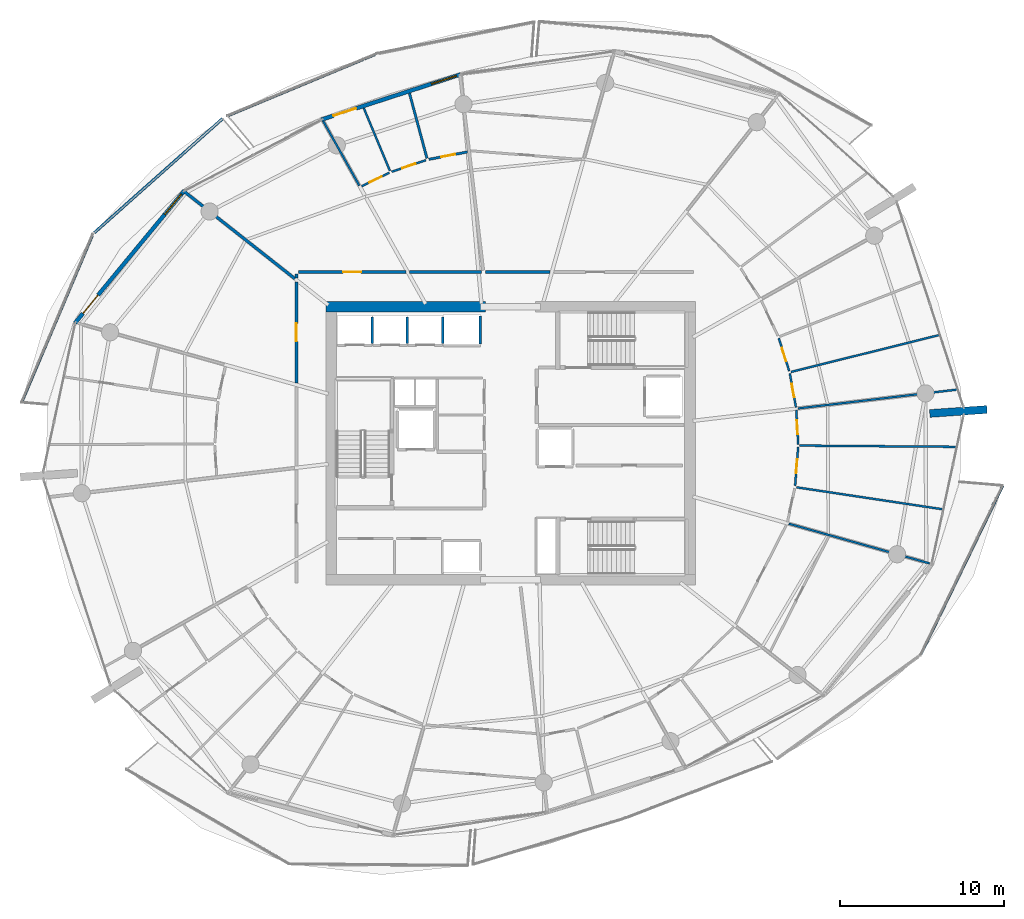
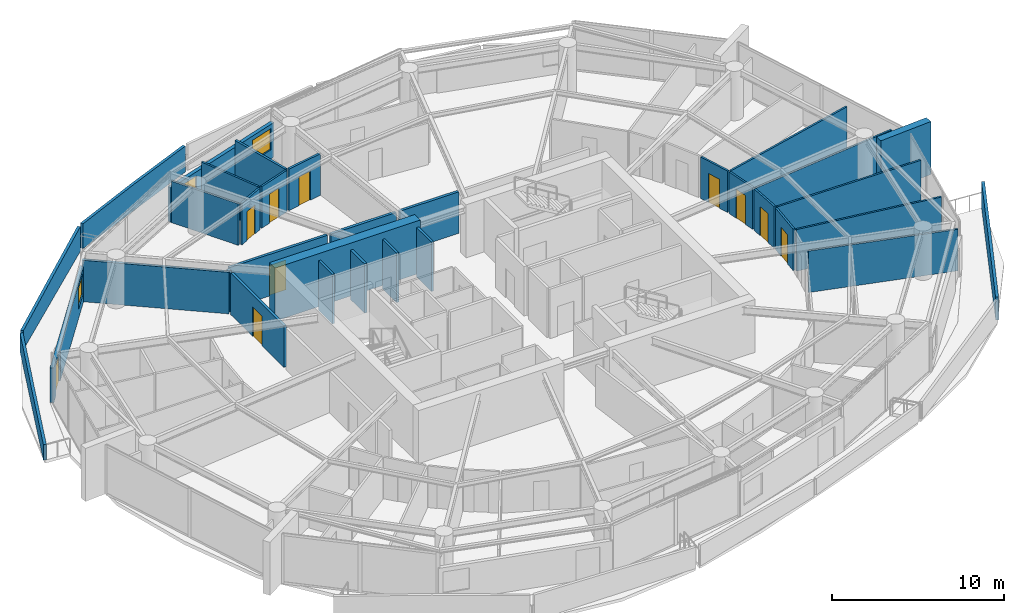
# One storey, part 14 of 20: 33 walls, 11 doors, 2 windows, 13 openings.
"""IFC4 building model written with IfcOpenShell, lengths in metres."""

import ifcopenshell
import ifcopenshell.guid

model = None  # the IFC model being written
_history = None  # IfcOwnerHistory: only IFC2X3 demands one
_inside = {}  # id of a spatial element -> (the spatial element, [elements in it])
_under = {}  # id of a project, library or spatial element -> (it, [spatial elements below it])
_declared = {}  # id of a project -> (the project, [libraries it declares])
_typed = {}  # id of a type object -> (the type object, [elements of that type])
_made_of = {}  # id of a material, layer set ... -> (it, [elements and type objects made of it])


def new_model(schema):
    """Start an empty IFC model of exactly this schema.

    Asked for "IFC4X3", IfcOpenShell would pick the latest addendum, in which some entities
    have other attributes; the version numbers below select the first issue.
    IFC2X3 requires an IfcOwnerHistory on every rooted entity: one is made here for all.
    """
    global model, _history
    if schema == "IFC4X3":
        model = ifcopenshell.file(schema_version=(4, 3, 0, 0))
    else:
        model = ifcopenshell.file(schema=schema)
    _inside.clear()
    _under.clear()
    _declared.clear()
    _typed.clear()
    _made_of.clear()
    _history = None
    if model.schema == "IFC2X3":
        org = make("IfcOrganization", Name="unknown")
        user = make(
            "IfcPersonAndOrganization",
            ThePerson=make("IfcPerson", FamilyName="unknown"),
            TheOrganization=org,
        )
        app = make(
            "IfcApplication",
            ApplicationDeveloper=org,
            Version="unknown",
            ApplicationFullName="unknown",
            ApplicationIdentifier="unknown",
        )
        _history = make(
            "IfcOwnerHistory",
            OwningUser=user,
            OwningApplication=app,
            ChangeAction="ADDED",
            CreationDate=0,
        )
    return model


def make(cls, **values):
    """One entity of the class cls with the attributes given. An attribute that is None is left unset."""
    return model.create_entity(
        cls, **{name: value for name, value in values.items() if value is not None}
    )


def rooted(cls, **values):
    """An entity with a GlobalId (a new one), such as an element, a storey or a relation."""
    return make(cls, GlobalId=ifcopenshell.guid.new(), OwnerHistory=_history, **values)


def si_unit(unit_type, name, prefix=None):
    """IfcSIUnit, for example si_unit("LENGTHUNIT", "METRE", prefix="MILLI")."""
    return make("IfcSIUnit", UnitType=unit_type, Prefix=prefix, Name=name)


def assignment(units):
    """IfcUnitAssignment: the units of a project."""
    return None if units is None else make("IfcUnitAssignment", Units=units)


def point(xyz):
    """IfcCartesianPoint."""
    return None if xyz is None else make("IfcCartesianPoint", Coordinates=xyz)


def direction(xyz):
    """IfcDirection."""
    return None if xyz is None else make("IfcDirection", DirectionRatios=xyz)


def frame(location, z_axis=None, x_axis=None):
    """IfcAxis2Placement3D, a coordinate frame: its origin and axes. An axis left out is left unset."""
    return make(
        "IfcAxis2Placement3D",
        Location=point(location),
        Axis=direction(z_axis),
        RefDirection=direction(x_axis),
    )


def frame_2d(location, x_axis=None):
    """IfcAxis2Placement2D, a coordinate frame in the plane: its origin and x axis."""
    return make(
        "IfcAxis2Placement2D", Location=point(location), RefDirection=direction(x_axis)
    )


def origin():
    """The frame at (0, 0, 0) with its axes left unset."""
    return frame((0.0, 0.0, 0.0))


def place(relative_to, where):
    """IfcLocalPlacement: puts the frame where relative to a parent placement (None: the world)."""
    return make(
        "IfcLocalPlacement", PlacementRelTo=relative_to, RelativePlacement=where
    )


def context(
    kind, dimensions, precision=None, world=None, true_north=None, identifier=None
):
    """IfcGeometricRepresentationContext, for example the 3D "Model" context."""
    return make(
        "IfcGeometricRepresentationContext",
        ContextIdentifier=identifier,
        ContextType=kind,
        CoordinateSpaceDimension=dimensions,
        Precision=precision,
        WorldCoordinateSystem=world,
        TrueNorth=true_north,
    )


def subcontext(parent, identifier, kind, view, scale=None):
    """IfcGeometricRepresentationSubContext, for example "Body" below "Model"."""
    return make(
        "IfcGeometricRepresentationSubContext",
        ContextIdentifier=identifier,
        ContextType=kind,
        ParentContext=parent,
        TargetScale=scale,
        TargetView=view,
    )


def project(units=None, contexts=None):
    """IfcProject with its units and contexts."""
    return rooted(
        "IfcProject",
        Name="project",
        RepresentationContexts=contexts,
        UnitsInContext=assignment(units),
    )


def spatial(cls, under=None, at=None, **own):
    """A site, building, storey or space (cls), placed at a placement, below another one or the project."""
    s = rooted(cls, ObjectPlacement=at, **own)
    if under is not None:
        _under.setdefault(under.id(), (under, []))[1].append(s)
    return s


def polyline(points):
    """IfcPolyline through the points."""
    return make("IfcPolyline", Points=[point(p) for p in points])


def profile(cls, at=None, kind="AREA", **sizes):
    """A parametric profile (cls). Its sizes go by their IFC names, for example OverallWidth=200.0."""
    return make(cls, ProfileType=kind, Position=at, **sizes)


def rectangle(**sizes):
    """IfcRectangleProfileDef."""
    return profile("IfcRectangleProfileDef", **sizes)


def outline(outer, holes=None, kind="AREA"):
    """IfcArbitraryClosedProfileDef: a profile drawn as a closed curve; with holes, ...WithVoids."""
    if holes is None:
        return make("IfcArbitraryClosedProfileDef", ProfileType=kind, OuterCurve=outer)
    return make(
        "IfcArbitraryProfileDefWithVoids",
        ProfileType=kind,
        OuterCurve=outer,
        InnerCurves=holes,
    )


def extrude(swept, where, along, depth):
    """IfcExtrudedAreaSolid: the profile swept, set in the frame where, extruded along a direction by depth."""
    return make(
        "IfcExtrudedAreaSolid",
        SweptArea=swept,
        Position=where,
        ExtrudedDirection=direction(along),
        Depth=depth,
    )


def shape(context_of_items, identifier, shape_type, items):
    """IfcShapeRepresentation: the items that make up one representation, for example the "Body"."""
    return make(
        "IfcShapeRepresentation",
        ContextOfItems=context_of_items,
        RepresentationIdentifier=identifier,
        RepresentationType=shape_type,
        Items=items,
    )


def material(Name=None, Category=None):
    """IfcMaterial."""
    return make("IfcMaterial", Name=Name, Category=Category)


def layer(
    of_material, thickness, ventilated=None, Name=None, Category=None, Priority=None
):
    """IfcMaterialLayer: one layer of a wall or slab, of a material (None: an air gap)."""
    return make(
        "IfcMaterialLayer",
        Material=of_material,
        LayerThickness=thickness,
        IsVentilated=ventilated,
        Name=Name,
        Category=Category,
        Priority=Priority,
    )


def layer_set(layers, Name=None):
    """IfcMaterialLayerSet."""
    return make("IfcMaterialLayerSet", MaterialLayers=layers, LayerSetName=Name)


def made_of(thing, what):
    """Note that an element or type object is made of a material, layer set ...; save() writes the relation."""
    if what is not None:
        _made_of.setdefault(what.id(), (what, []))[1].append(thing)
    return thing


def type_object(cls, material=None, **own):
    """A type object (cls), such as IfcWallType, which elements share."""
    return made_of(rooted(cls, **own), material)


def element(
    cls,
    number,
    at=None,
    inside=None,
    cuts=None,
    type_object=None,
    material=None,
    context=None,
    identifier="Body",
    shape_type=None,
    held_by="IfcProductDefinitionShape",
    body=None,
    shapes=None,
    **own,
):
    """One element of the class cls, such as IfcWall. Its Tag is "e" and its number.

    at: its placement. inside: the storey or other place that contains it. cuts: it is an
    opening in that element (IfcRelVoidsElement). A single representation is given by context,
    identifier, shape_type and body (its items); several are given by shapes. held_by: the class
    of the entity that holds the representations. save() writes the other relations.
    """
    e = rooted(cls, Tag="e%d" % number, ObjectPlacement=at, **own)
    if body is not None:
        shapes = [shape(context, identifier, shape_type, body)]
    if shapes is not None:
        e.Representation = make(held_by, Representations=shapes)
    if inside is not None:
        _inside.setdefault(inside.id(), (inside, []))[1].append(e)
    if cuts is not None:
        rooted(
            "IfcRelVoidsElement", RelatingBuildingElement=cuts, RelatedOpeningElement=e
        )
    if type_object is not None:
        _typed.setdefault(type_object.id(), (type_object, []))[1].append(e)
    return made_of(e, material)


def fill(opening, filler):
    """IfcRelFillsElement: the door or window that sits in an opening."""
    return rooted(
        "IfcRelFillsElement",
        RelatingOpeningElement=opening,
        RelatedBuildingElement=filler,
    )


def aggregate(whole, parts):
    """IfcRelAggregates: a whole, such as a stair, and the parts it consists of."""
    return rooted("IfcRelAggregates", RelatingObject=whole, RelatedObjects=parts)


def save(model, path):
    """Write the relations noted so far, then the file.

    IfcRelAggregates (storeys below a building ...), IfcRelContainedInSpatialStructure (elements
    in a storey), IfcRelDefinesByType, IfcRelAssociatesMaterial and IfcRelDeclares: one each for
    every whole, place, type object, material and project.
    """
    for whole, parts in _under.values():
        aggregate(whole, parts)
    for where, things in _inside.values():
        rooted(
            "IfcRelContainedInSpatialStructure",
            RelatedElements=things,
            RelatingStructure=where,
        )
    for kind, things in _typed.values():
        rooted("IfcRelDefinesByType", RelatedObjects=things, RelatingType=kind)
    for what, things in _made_of.values():
        rooted("IfcRelAssociatesMaterial", RelatedObjects=things, RelatingMaterial=what)
    for by, libraries in _declared.values():
        rooted("IfcRelDeclares", RelatingContext=by, RelatedDefinitions=libraries)
    model.write(path)


model = new_model("IFC4")

# Units and contexts
model_context = context("Model", 3, precision=1e-05, world=origin(), true_north=direction((0.0, 1.0)))
body_context = subcontext(model_context, "Body", "Model", "MODEL_VIEW")
ifc_project = project(units=[si_unit("LENGTHUNIT", "METRE"), si_unit("AREAUNIT", "SQUARE_METRE"), si_unit("VOLUMEUNIT", "CUBIC_METRE"), si_unit("PLANEANGLEUNIT", "RADIAN"), si_unit("MASSUNIT", "GRAM", prefix="KILO")], contexts=[model_context])

# Site, building, storey
site_placement = place(None, origin())
site = spatial("IfcSite", under=ifc_project, at=site_placement, CompositionType="ELEMENT")
building_placement = place(site_placement, origin())
building = spatial("IfcBuilding", under=site, at=building_placement, Name="Kazma Halo Residences", CompositionType="ELEMENT")
storey_placement = place(building_placement, frame((0.0, 0.0, 210.300048828125)))
storey = spatial("IfcBuildingStorey", under=building, at=storey_placement, Name="L53", CompositionType="ELEMENT", Elevation=210.300048828125)

# Walls
ifc_material_1 = material(Name="White Concrete C50/60 Balustrade", Category="concrete")
ifc_layer_1 = layer(ifc_material_1, 0.179931640625)
ifc_layer_set_1 = layer_set([ifc_layer_1], Name="White Concrete C50/60 Balustrade")
wall_type_1 = type_object("IfcWallType", Name="WL-BAL-WAVE-180", PredefinedType="PARAPET", material=ifc_layer_set_1)
wall_1_placement = place(storey_placement, frame((40.1591796875, 65.74462890625, 0.0), z_axis=(0.0, 0.0, 1.0), x_axis=(-0.923266030552, -0.38416121203, 0.0)))
element("IfcWall", 1, at=wall_1_placement, inside=storey, type_object=wall_type_1, Name="L53 white wave balustrade wall NNW.2", PredefinedType="PARAPET", context=body_context, shape_type="SweptSolid", body=[
    extrude(outline(polyline([(0.0, 0.0), (9.772216796875, 0.0), (9.772216796875, 1.755859375), (4.885986328125, 1.85302734375), (0.0, 1.83203125), (0.0, 0.0)])), frame((0.0, 0.08984375, 0.0), z_axis=(0.0, -1.0, 0.0), x_axis=(1.0, 0.0, 0.0)), (0.0, 0.0, 1.0), 0.179931640625),
])
wall_2_placement = place(storey_placement, frame((30.855712890625, 61.82666015625, 0.0), z_axis=(0.0, 0.0, 1.0), x_axis=(-0.747315583536, -0.664469275892, 0.0)))
element("IfcWall", 2, at=wall_2_placement, inside=storey, type_object=wall_type_1, Name="L53 white wave balustrade wall NW.1", PredefinedType="PARAPET", context=body_context, shape_type="SweptSolid", body=[
    extrude(outline(polyline([(0.0, 0.0), (10.490966796875, 0.0), (10.4912109375, 1.347900390625), (5.24560546875, 1.56201171875), (0.0, 1.7470703125), (0.0, 0.0)])), frame((0.0, 0.08984375, 0.0), z_axis=(0.0, -1.0, 0.0), x_axis=(1.0, 0.0, 0.0)), (0.0, 0.0, 1.0), 0.179931640625),
])
wall_3_placement = place(storey_placement, frame((22.879150390625, 54.665283203125, 0.0), z_axis=(0.0, 0.0, 1.0), x_axis=(-0.390001304333, -0.920814304091, 0.0)))
element("IfcWall", 3, at=wall_3_placement, inside=storey, type_object=wall_type_1, Name="L53 white wave balustrade wall NW.2", PredefinedType="PARAPET", context=body_context, shape_type="SweptSolid", body=[
    extrude(outline(polyline([(0.0, 0.0), (11.042724609375, 0.0), (11.04296875, 1.119873046875), (5.521484375, 1.181884765625), (0.0, 1.347900390625), (0.0, 0.0)])), frame((0.0, 0.08984375, 0.0), z_axis=(0.0, -1.0, 0.0), x_axis=(1.0, 0.0, 0.0)), (0.0, 0.0, 1.0), 0.179931640625),
])
wall_4_placement = place(storey_placement, frame((73.481201171875, 29.151611328125, 0.0), z_axis=(0.0, 0.0, 1.0), x_axis=(0.436714484075, 0.899600166407, 0.0)))
element("IfcWall", 4, at=wall_4_placement, inside=storey, type_object=wall_type_1, Name="L53 white wave balustrade wall SE.2", PredefinedType="PARAPET", context=body_context, shape_type="SweptSolid", body=[
    extrude(outline(polyline([(0.0, 0.0), (11.408935546875, 0.0), (11.4091796875, 1.85986328125), (5.70458984375, 1.7978515625), (0.0, 1.6318359375), (0.0, 0.0)])), frame((0.0, 0.08984375, 0.0), z_axis=(0.0, -1.0, 0.0), x_axis=(1.0, 0.0, 0.0)), (0.0, 0.0, 1.0), 0.179931640625),
])
ifc_material_2 = material(Name="Pale Concrete C60/75", Category="concrete")
ifc_layer_2 = layer(ifc_material_2, 0.47998046875)
ifc_layer_set_2 = layer_set([ifc_layer_2], Name="Pale Concrete C60/75")
wall_type_2 = type_object("IfcWallType", Name="WL-BLADE-480", PredefinedType="SOLIDWALL", material=ifc_layer_set_2)
wall_5_placement = place(storey_placement, frame((74.0126953125, 43.819091796875, 0.0), z_axis=(0.0, 0.0, 1.0), x_axis=(0.997568676264, 0.069690287244, 0.0)))
element("IfcWall", 5, at=wall_5_placement, inside=storey, type_object=wall_type_2, Name="L53 pale concrete structural blade fin wall BW-04", PredefinedType="SOLIDWALL", context=body_context, shape_type="SweptSolid", body=[
    extrude(rectangle(XDim=3.499755859375, YDim=0.47998046875, at=frame_2d((1.75, 0.0))), origin(), (0.0, 0.0, 1.0), 3.75),
])
ifc_material_3 = material(Name="Concrete C60/75", Category="concrete")
ifc_layer_3 = layer(ifc_material_3, 0.64990234375)
ifc_layer_set_3 = layer_set([ifc_layer_3], Name="Concrete C60/75")
wall_type_3 = type_object("IfcWallType", Name="WL-CORE-650", PredefinedType="SHEAR", material=ifc_layer_set_3)
wall_6_placement = place(storey_placement, frame((37.14990234375, 50.324951171875, 0.0), z_axis=(0.0, 0.0, 1.0), x_axis=(1.0, 0.0, 0.0)))
element("IfcWall", 6, at=wall_6_placement, inside=storey, type_object=wall_type_3, Name="L53 central core shear wall NW", PredefinedType="SHEAR", context=body_context, shape_type="SweptSolid", body=[
    extrude(rectangle(XDim=9.75, YDim=0.64990234375, at=frame_2d((4.875, 0.0))), origin(), (0.0, 0.0, 1.0), 3.75),
])
ifc_material_4 = material(Name="Acoustic Twin-Stud Gypsum")
ifc_layer_4 = layer(ifc_material_4, 0.179931640625)
ifc_layer_set_4 = layer_set([ifc_layer_4], Name="Acoustic Twin-Stud Gypsum")
wall_type_4 = type_object("IfcWallType", Name="WL-DEM-180", PredefinedType="PARTITIONING", material=ifc_layer_set_4)
wall_7_placement = place(storey_placement, frame((35.263671875, 52.04052734375, 0.0), z_axis=(0.0, 0.0, 1.0), x_axis=(-0.785322457947, 0.619086938195, 0.0)))
element("IfcWall", 7, at=wall_7_placement, inside=storey, type_object=wall_type_4, Name="L53 apartment demising radial wall 05", PredefinedType="PARTITIONING", context=body_context, shape_type="SweptSolid", body=[
    extrude(rectangle(XDim=8.609130859375, YDim=0.179931640625, at=frame_2d((4.3046875, 0.0))), origin(), (0.0, 0.0, 1.0), 2.93994140625),
])

# Wall, opening, door
wall_8_placement = place(storey_placement, frame((42.027587890625, 52.449951171875, 0.0), z_axis=(0.0, 0.0, 1.0), x_axis=(-1.0, 0.0, 0.0)))
wall_8 = element("IfcWall", 8, at=wall_8_placement, inside=storey, type_object=wall_type_4, Name="L53 Apartment 1 entrance corridor wall", PredefinedType="PARTITIONING", context=body_context, shape_type="SweptSolid", body=[
    extrude(rectangle(XDim=6.5576171875, YDim=0.179931640625, at=frame_2d((3.27880859375, 0.0))), origin(), (0.0, 0.0, 1.0), 2.93994140625),
])
opening_1_placement = place(wall_8_placement, frame((2.72900390625, 0.0, 0.0)))
opening_1 = element("IfcOpeningElement", 9, at=opening_1_placement, cuts=wall_8, Name="Opening DA-1100", PredefinedType="OPENING", context=body_context, shape_type="SweptSolid", body=[
    extrude(rectangle(XDim=1.10009765625, YDim=2.10009765625, at=frame_2d((0.550048828125, 1.050048828125))), frame((0.0, 0.099853515625, 0.0), z_axis=(0.0, -1.0, 0.0), x_axis=(1.0, 0.0, 0.0)), (0.0, 0.0, 1.0), 0.199951171875),
])
ifc_material_5 = material(Name="Acoustic Walnut Fire Leaf")
door_type_1 = type_object("IfcDoorType", Name="DR-FD60-1100", OperationType="NOTDEFINED", PredefinedType="DOOR", material=ifc_material_5)
door_1_placement = place(opening_1_placement, origin())
door_1 = element("IfcDoor", 10, at=door_1_placement, inside=storey, type_object=door_type_1, Name="L53 Apartment 1 entrance fire door", OperationType="SINGLE_SWING_LEFT", OverallHeight=2.10009765625, OverallWidth=1.10009765625, PredefinedType="DOOR", context=body_context, shape_type="SweptSolid", body=[
    extrude(rectangle(XDim=1.10009765625, YDim=2.10009765625, at=frame_2d((0.550048828125, 1.050048828125))), frame((0.0, 0.02490234375, 0.0), z_axis=(0.0, -1.0, 0.0), x_axis=(1.0, 0.0, 0.0)), (0.0, 0.0, 1.0), 0.050048828125),
])
fill(opening_1, door_1)

# Walls
wall_9_placement = place(storey_placement, frame((35.35009765625, 52.330078125, 0.0), z_axis=(0.0, 0.0, 1.0), x_axis=(0.0, -1.0, 0.0)))
element("IfcWall", 11, at=wall_9_placement, inside=storey, type_object=wall_type_4, Name="L53 Apartment 1 entrance corridor wall", PredefinedType="PARTITIONING", context=body_context, shape_type="SweptSolid", body=[
    extrude(rectangle(XDim=0.237548828125, YDim=0.179931640625, at=frame_2d((0.11865234375, 0.0))), origin(), (0.0, 0.0, 1.0), 2.93994140625),
])
wall_10_placement = place(storey_placement, frame((46.643310546875, 52.449951171875, 0.0), z_axis=(0.0, 0.0, 1.0), x_axis=(-1.0, 0.0, 0.0)))
element("IfcWall", 12, at=wall_10_placement, inside=storey, type_object=wall_type_4, Name="L53 Apartment 1 inner wall 3", PredefinedType="PARTITIONING", context=body_context, shape_type="SweptSolid", body=[
    extrude(rectangle(XDim=4.375732421875, YDim=0.179931640625, at=frame_2d((2.18798828125, 0.0))), origin(), (0.0, 0.0, 1.0), 2.93994140625),
])

# Wall, opening, door
wall_11_placement = place(storey_placement, frame((35.35009765625, 51.8525390625, 0.0), z_axis=(0.0, 0.0, 1.0), x_axis=(0.0, -1.0, 0.0)))
wall_11 = element("IfcWall", 13, at=wall_11_placement, inside=storey, type_object=wall_type_4, Name="L53 Apartment 2 entrance corridor wall", PredefinedType="PARTITIONING", context=body_context, shape_type="SweptSolid", body=[
    extrude(rectangle(XDim=6.164794921875, YDim=0.179931640625, at=frame_2d((3.08251953125, 0.0))), origin(), (0.0, 0.0, 1.0), 2.93994140625),
])
opening_2_placement = place(wall_11_placement, frame((2.532470703125, 0.0, 0.0)))
opening_2 = element("IfcOpeningElement", 14, at=opening_2_placement, cuts=wall_11, Name="Opening DA-1100", PredefinedType="OPENING", context=body_context, shape_type="SweptSolid", body=[
    extrude(rectangle(XDim=1.10009765625, YDim=2.10009765625, at=frame_2d((0.550048828125, 1.050048828125))), frame((0.0, 0.099853515625, 0.0), z_axis=(0.0, -1.0, 0.0), x_axis=(1.0, 0.0, 0.0)), (0.0, 0.0, 1.0), 0.199951171875),
])
door_2_placement = place(opening_2_placement, origin())
door_2 = element("IfcDoor", 15, at=door_2_placement, inside=storey, type_object=door_type_1, Name="L53 Apartment 2 entrance fire door", OperationType="SINGLE_SWING_RIGHT", OverallHeight=2.10009765625, OverallWidth=1.10009765625, PredefinedType="DOOR", context=body_context, shape_type="SweptSolid", body=[
    extrude(rectangle(XDim=1.10009765625, YDim=2.10009765625, at=frame_2d((0.550048828125, 1.050048828125))), frame((0.0, 0.02490234375, 0.0), z_axis=(0.0, -1.0, 0.0), x_axis=(1.0, 0.0, 0.0)), (0.0, 0.0, 1.0), 0.050048828125),
])
fill(opening_2, door_2)

# Wall
wall_12_placement = place(storey_placement, frame((50.8271484375, 52.449951171875, 0.0), z_axis=(0.0, 0.0, 1.0), x_axis=(-1.0, 0.0, 0.0)))
element("IfcWall", 16, at=wall_12_placement, inside=storey, type_object=wall_type_4, Name="L53 Apartment 4 inner wall 2", PredefinedType="PARTITIONING", context=body_context, shape_type="SweptSolid", body=[
    extrude(rectangle(XDim=3.94384765625, YDim=0.179931640625, at=frame_2d((1.971923828125, 0.0))), origin(), (0.0, 0.0, 1.0), 2.93994140625),
])

# Wall, openings, door, window
ifc_material_6 = material(Name="Insulated Pale-Metal Composite Wall")
ifc_layer_5 = layer(ifc_material_6, 0.239990234375)
ifc_layer_set_5 = layer_set([ifc_layer_5], Name="Insulated Pale-Metal Composite Wall")
wall_type_5 = type_object("IfcWallType", Name="WL-EXT-HOST-240", PredefinedType="SOLIDWALL", material=ifc_layer_set_5)
wall_13_placement = place(storey_placement, frame((45.38427734375, 64.518798828125, 0.0), z_axis=(0.0, 0.0, 1.0), x_axis=(-0.951058543936, -0.309010753869, 0.0)))
wall_13 = element("IfcWall", 17, at=wall_13_placement, inside=storey, type_object=wall_type_5, Name="L53 exterior terrace-access wall B04", PredefinedType="SOLIDWALL", context=body_context, shape_type="SweptSolid", body=[
    extrude(rectangle(XDim=8.942138671875, YDim=0.239990234375, at=frame_2d((4.47119140625, 0.0))), origin(), (0.0, 0.0, 1.0), 2.449951171875),
])
opening_3_placement = place(wall_13_placement, frame((6.721923828125, 0.0, 0.0)))
opening_3 = element("IfcOpeningElement", 18, at=opening_3_placement, cuts=wall_13, Name="Opening DTR-1600", PredefinedType="OPENING", context=body_context, shape_type="SweptSolid", body=[
    extrude(rectangle(XDim=1.449951171875, YDim=2.14990234375, at=frame_2d((0.72509765625, 1.074951171875))), frame((0.0, 0.1298828125, 0.0), z_axis=(0.0, -1.0, 0.0), x_axis=(1.0, 0.0, 0.0)), (0.0, 0.0, 1.0), 0.260009765625),
])
opening_4_placement = place(wall_13_placement, frame((0.280029296875, 0.0, 0.64990234375)))
opening_4 = element("IfcOpeningElement", 19, at=opening_4_placement, cuts=wall_13, Name="Opening W-1800", PredefinedType="OPENING", context=body_context, shape_type="SweptSolid", body=[
    extrude(rectangle(XDim=1.60009765625, YDim=1.5, at=frame_2d((0.800048828125, 0.75))), frame((0.0, 0.1298828125, 0.0), z_axis=(0.0, -1.0, 0.0), x_axis=(1.0, 0.0, 0.0)), (0.0, 0.0, 1.0), 0.260009765625),
])
ifc_material_7 = material(Name="Aluminium AW-6063 T6 Double-Glazed Terrace Door", Category="aluminium")
door_type_2 = type_object("IfcDoorType", Name="DR-EXT-TERR-1600", OperationType="NOTDEFINED", PredefinedType="DOOR", material=ifc_material_7)
door_3_placement = place(opening_3_placement, origin())
door_3 = element("IfcDoor", 20, at=door_3_placement, inside=storey, type_object=door_type_2, Name="L53 B04 balcony terrace door", OperationType="DOUBLE_DOOR_SLIDING", OverallHeight=2.14990234375, OverallWidth=1.449951171875, PredefinedType="DOOR", context=body_context, shape_type="SweptSolid", body=[
    extrude(rectangle(XDim=1.449951171875, YDim=2.14990234375, at=frame_2d((0.72509765625, 1.074951171875))), frame((0.0, 0.02490234375, 0.0), z_axis=(0.0, -1.0, 0.0), x_axis=(1.0, 0.0, 0.0)), (0.0, 0.0, 1.0), 0.050048828125),
])
fill(opening_3, door_3)
ifc_material_8 = material(Name="Clear Triple-Silver Low-E Glass in Aluminium AW-6063 T6 Frame", Category="aluminium")
window_type = type_object("IfcWindowType", Name="WIN-RES-1800", PartitioningType="DOUBLE_PANEL_VERTICAL", PredefinedType="WINDOW", material=ifc_material_8)
window_1_placement = place(opening_4_placement, origin())
window_1 = element("IfcWindow", 21, at=window_1_placement, inside=storey, type_object=window_type, Name="L53 B04 apartment window", OverallHeight=1.5, OverallWidth=1.60009765625, PartitioningType="SINGLE_PANEL", PredefinedType="WINDOW", context=body_context, shape_type="SweptSolid", body=[
    extrude(rectangle(XDim=1.60009765625, YDim=1.5, at=frame_2d((0.800048828125, 0.75))), frame((0.0, 0.030029296875, 0.0), z_axis=(0.0, -1.0, 0.0), x_axis=(1.0, 0.0, 0.0)), (0.0, 0.0, 1.0), 0.06005859375),
])
fill(opening_4, window_1)

wall_14_placement = place(storey_placement, frame((28.514892578125, 57.42431640625, 0.0), z_axis=(0.0, 0.0, 1.0), x_axis=(-0.636759394418, -0.771062561418, 0.0)))
wall_14 = element("IfcWall", 22, at=wall_14_placement, inside=storey, type_object=wall_type_5, Name="L53 exterior terrace-access wall B06", PredefinedType="SOLIDWALL", context=body_context, shape_type="SweptSolid", body=[
    extrude(rectangle(XDim=10.494384765625, YDim=0.239990234375, at=frame_2d((5.2470703125, 0.0))), origin(), (0.0, 0.0, 1.0), 2.449951171875),
])
opening_5_placement = place(wall_14_placement, frame((8.2744140625, 0.0, 0.0)))
opening_5 = element("IfcOpeningElement", 23, at=opening_5_placement, cuts=wall_14, Name="Opening DTR-1600", PredefinedType="OPENING", context=body_context, shape_type="SweptSolid", body=[
    extrude(rectangle(XDim=1.449951171875, YDim=2.14990234375, at=frame_2d((0.72509765625, 1.074951171875))), frame((0.0, 0.1298828125, 0.0), z_axis=(0.0, -1.0, 0.0), x_axis=(1.0, 0.0, 0.0)), (0.0, 0.0, 1.0), 0.260009765625),
])
opening_6_placement = place(wall_14_placement, frame((0.280029296875, 0.0, 0.64990234375)))
opening_6 = element("IfcOpeningElement", 24, at=opening_6_placement, cuts=wall_14, Name="Opening W-1800", PredefinedType="OPENING", context=body_context, shape_type="SweptSolid", body=[
    extrude(rectangle(XDim=1.60009765625, YDim=1.5, at=frame_2d((0.800048828125, 0.75))), frame((0.0, 0.1298828125, 0.0), z_axis=(0.0, -1.0, 0.0), x_axis=(1.0, 0.0, 0.0)), (0.0, 0.0, 1.0), 0.260009765625),
])
door_4_placement = place(opening_5_placement, origin())
door_4 = element("IfcDoor", 25, at=door_4_placement, inside=storey, type_object=door_type_2, Name="L53 B06 balcony terrace door", OperationType="DOUBLE_DOOR_SLIDING", OverallHeight=2.14990234375, OverallWidth=1.449951171875, PredefinedType="DOOR", context=body_context, shape_type="SweptSolid", body=[
    extrude(rectangle(XDim=1.449951171875, YDim=2.14990234375, at=frame_2d((0.72509765625, 1.074951171875))), frame((0.0, 0.02490234375, 0.0), z_axis=(0.0, -1.0, 0.0), x_axis=(1.0, 0.0, 0.0)), (0.0, 0.0, 1.0), 0.050048828125),
])
fill(opening_5, door_4)
window_2_placement = place(opening_6_placement, origin())
window_2 = element("IfcWindow", 26, at=window_2_placement, inside=storey, type_object=window_type, Name="L53 B06 apartment window", OverallHeight=1.5, OverallWidth=1.60009765625, PartitioningType="SINGLE_PANEL", PredefinedType="WINDOW", context=body_context, shape_type="SweptSolid", body=[
    extrude(rectangle(XDim=1.60009765625, YDim=1.5, at=frame_2d((0.800048828125, 0.75))), frame((0.0, 0.030029296875, 0.0), z_axis=(0.0, -1.0, 0.0), x_axis=(1.0, 0.0, 0.0)), (0.0, 0.0, 1.0), 0.06005859375),
])
fill(opening_6, window_2)

# Walls
ifc_material_9 = material(Name="Fire-Rated Blockwork Masonry", Category="masonry")
ifc_layer_6 = layer(ifc_material_9, 0.199951171875)
ifc_layer_set_6 = layer_set([ifc_layer_6], Name="Fire-Rated Blockwork Masonry")
wall_type_6 = type_object("IfcWallType", Name="WL-FLB-200", PredefinedType="PARTITIONING", material=ifc_layer_set_6)
for number, where, z_axis, x_axis, name in (
    (27, (39.97509765625, 48.094970703125, 0.0), (0.0, 0.0, 1.0), (0.0, 1.0, 0.0), "L53 lift shaft PM-01 side wall E"),
    (28, (42.125, 48.094970703125, 0.0), (0.0, 0.0, 1.0), (0.0, 1.0, 0.0), "L53 lift shaft PM-02 side wall E"),
    (29, (44.27490234375, 48.094970703125, 0.0), (0.0, 0.0, 1.0), (0.0, 1.0, 0.0), "L53 lift shaft PM-03 side wall E"),
):
    element("IfcWall", number, at=place(storey_placement, frame(where, z_axis=z_axis, x_axis=x_axis)), inside=storey, type_object=wall_type_6, Name=name, PredefinedType="PARTITIONING", context=body_context, shape_type="SweptSolid", body=[
        extrude(rectangle(XDim=1.610107421875, YDim=0.159912109375, at=frame_2d((0.80517578125, 0.0))), origin(), (0.0, 0.0, 1.0), 3.5),
    ])
wall_15_placement = place(storey_placement, frame((46.580078125, 48.044921875, 0.0), z_axis=(0.0, 0.0, 1.0), x_axis=(0.0, 1.0, 0.0)))
element("IfcWall", 30, at=wall_15_placement, inside=storey, type_object=wall_type_6, Name="L53 lift shaft PX-01 side wall E", PredefinedType="PARTITIONING", context=body_context, shape_type="SweptSolid", body=[
    extrude(rectangle(XDim=1.7099609375, YDim=0.159912109375, at=frame_2d((0.85498046875, 0.0))), origin(), (0.0, 0.0, 1.0), 3.5),
])
ifc_material_10 = material(Name="Gypsum Plasterboard Partition")
ifc_layer_7 = layer(ifc_material_10, 0.125)
ifc_layer_set_7 = layer_set([ifc_layer_7], Name="Gypsum Plasterboard Partition")
wall_type_7 = type_object("IfcWallType", Name="WL-PART-125", PredefinedType="PARTITIONING", material=ifc_layer_set_7)
wall_16_placement = place(storey_placement, frame((39.191162109375, 57.729248046875, 0.0), z_axis=(0.0, 0.0, 1.0), x_axis=(-0.48860171964, 0.872506939551, 0.0)))
element("IfcWall", 31, at=wall_16_placement, inside=storey, type_object=wall_type_7, Name="L53 Apartment 1 living radial partition 3", PredefinedType="PARTITIONING", context=body_context, shape_type="SweptSolid", body=[
    extrude(rectangle(XDim=4.507568359375, YDim=0.125, at=frame_2d((2.25390625, 0.0))), origin(), (0.0, 0.0, 1.0), 2.93994140625),
])
wall_17_placement = place(storey_placement, frame((41.061767578125, 58.628662109375, 0.0), z_axis=(0.0, 0.0, 1.0), x_axis=(-0.385086773066, 0.922880369934, 0.0)))
element("IfcWall", 32, at=wall_17_placement, inside=storey, type_object=wall_type_7, Name="L53 Apartment 1 suite divider 3", PredefinedType="PARTITIONING", context=body_context, shape_type="SweptSolid", body=[
    extrude(rectangle(XDim=4.1552734375, YDim=0.125, at=frame_2d((2.07763671875, 0.0))), origin(), (0.0, 0.0, 1.0), 2.93994140625),
])

# Wall, opening, door
wall_18_placement = place(storey_placement, frame((43.2587890625, 59.28369140625, 0.0), z_axis=(0.0, 0.0, 1.0), x_axis=(-0.946366372143, -0.323095480743, 0.0)))
wall_18 = element("IfcWall", 33, at=wall_18_placement, inside=storey, type_object=wall_type_7, Name="L53 Apartment 1 Gourmet Kitchen hall wall", PredefinedType="PARTITIONING", context=body_context, shape_type="SweptSolid", body=[
    extrude(rectangle(XDim=2.204833984375, YDim=0.125, at=frame_2d((1.1025390625, 0.0))), origin(), (0.0, 0.0, 1.0), 2.93994140625),
])
opening_7_placement = place(wall_18_placement, frame((0.677490234375, 0.0, 0.0)))
opening_7 = element("IfcOpeningElement", 34, at=opening_7_placement, cuts=wall_18, Name="Opening DB-900", PredefinedType="OPENING", context=body_context, shape_type="SweptSolid", body=[
    extrude(rectangle(XDim=0.85009765625, YDim=2.06005859375, at=frame_2d((0.425048828125, 1.030029296875))), frame((0.0, 0.072509765625, 0.0), z_axis=(0.0, -1.0, 0.0), x_axis=(1.0, 0.0, 0.0)), (0.0, 0.0, 1.0), 0.14501953125),
])
ifc_material_11 = material(Name="Moisture-Sealed Timber Leaf", Category="wood")
door_type_3 = type_object("IfcDoorType", Name="DR-BTH-900", OperationType="NOTDEFINED", PredefinedType="DOOR", material=ifc_material_11)
door_5_placement = place(opening_7_placement, origin())
door_5 = element("IfcDoor", 35, at=door_5_placement, inside=storey, type_object=door_type_3, Name="L53 Apartment 1 Gourmet Kitchen door", OperationType="SINGLE_SWING_LEFT", OverallHeight=2.06005859375, OverallWidth=0.85009765625, PredefinedType="DOOR", context=body_context, shape_type="SweptSolid", body=[
    extrude(rectangle(XDim=0.85009765625, YDim=2.06005859375, at=frame_2d((0.425048828125, 1.030029296875))), frame((0.0, 0.02490234375, 0.0), z_axis=(0.0, -1.0, 0.0), x_axis=(1.0, 0.0, 0.0)), (0.0, 0.0, 1.0), 0.050048828125),
])
fill(opening_7, door_5)

wall_19_placement = place(storey_placement, frame((41.0244140625, 58.510498046875, 0.0), z_axis=(0.0, 0.0, 1.0), x_axis=(-0.899168967124, -0.437601609414, 0.0)))
wall_19 = element("IfcWall", 36, at=wall_19_placement, inside=storey, type_object=wall_type_7, Name="L53 Apartment 1 Primary Bedroom hall wall", PredefinedType="PARTITIONING", context=body_context, shape_type="SweptSolid", body=[
    extrude(rectangle(XDim=1.884521484375, YDim=0.125, at=frame_2d((0.9423828125, 0.0))), origin(), (0.0, 0.0, 1.0), 2.93994140625),
])
opening_8_placement = place(wall_19_placement, frame((0.517333984375, 0.0, 0.0)))
opening_8 = element("IfcOpeningElement", 37, at=opening_8_placement, cuts=wall_19, Name="Opening DB-900", PredefinedType="OPENING", context=body_context, shape_type="SweptSolid", body=[
    extrude(rectangle(XDim=0.85009765625, YDim=2.06005859375, at=frame_2d((0.425048828125, 1.030029296875))), frame((0.0, 0.072509765625, 0.0), z_axis=(0.0, -1.0, 0.0), x_axis=(1.0, 0.0, 0.0)), (0.0, 0.0, 1.0), 0.14501953125),
])
door_6_placement = place(opening_8_placement, origin())
door_6 = element("IfcDoor", 38, at=door_6_placement, inside=storey, type_object=door_type_3, Name="L53 Apartment 1 Primary Bedroom door", OperationType="SINGLE_SWING_RIGHT", OverallHeight=2.06005859375, OverallWidth=0.85009765625, PredefinedType="DOOR", context=body_context, shape_type="SweptSolid", body=[
    extrude(rectangle(XDim=0.85009765625, YDim=2.06005859375, at=frame_2d((0.425048828125, 1.030029296875))), frame((0.0, 0.02490234375, 0.0), z_axis=(0.0, -1.0, 0.0), x_axis=(1.0, 0.0, 0.0)), (0.0, 0.0, 1.0), 0.050048828125),
])
fill(opening_8, door_6)

# Walls
wall_20_placement = place(storey_placement, frame((65.407958984375, 37.090576171875, 0.0), z_axis=(0.0, 0.0, 1.0), x_axis=(0.962449675986, -0.271460165022, 0.0)))
element("IfcWall", 39, at=wall_20_placement, inside=storey, type_object=wall_type_7, Name="L53 Apartment 4 radial partition 14", PredefinedType="PARTITIONING", context=body_context, shape_type="SweptSolid", body=[
    extrude(rectangle(XDim=8.943359375, YDim=0.125, at=frame_2d((4.4716796875, 0.0))), origin(), (0.0, 0.0, 1.0), 2.93994140625),
])
wall_21_placement = place(storey_placement, frame((65.876220703125, 39.3125, 0.0), z_axis=(0.0, 0.0, 1.0), x_axis=(0.988883657875, -0.148691328556, 0.0)))
element("IfcWall", 40, at=wall_21_placement, inside=storey, type_object=wall_type_7, Name="L53 Apartment 4 bay wall 1 14", PredefinedType="PARTITIONING", context=body_context, shape_type="SweptSolid", body=[
    extrude(rectangle(XDim=9.05029296875, YDim=0.125, at=frame_2d((4.525146484375, 0.0))), origin(), (0.0, 0.0, 1.0), 2.93994140625),
])
wall_22_placement = place(storey_placement, frame((66.076416015625, 41.85791015625, 0.0), z_axis=(0.0, 0.0, 1.0), x_axis=(0.999969321656, -0.007832990961, 0.0)))
element("IfcWall", 41, at=wall_22_placement, inside=storey, type_object=wall_type_7, Name="L53 Apartment 4 bay wall 2 14", PredefinedType="PARTITIONING", context=body_context, shape_type="SweptSolid", body=[
    extrude(rectangle(XDim=9.568603515625, YDim=0.125, at=frame_2d((4.7841796875, 0.0))), origin(), (0.0, 0.0, 1.0), 2.93994140625),
])

# Wall, opening, door
wall_23_placement = place(storey_placement, frame((65.79345703125, 39.405517578125, 0.0), z_axis=(0.0, 0.0, 1.0), x_axis=(0.078351129542, 0.996925824974, 0.0)))
wall_23 = element("IfcWall", 42, at=wall_23_placement, inside=storey, type_object=wall_type_7, Name="L53 Apartment 4 Outer Study hall wall", PredefinedType="PARTITIONING", context=body_context, shape_type="SweptSolid", body=[
    extrude(rectangle(XDim=2.380615234375, YDim=0.125, at=frame_2d((1.1904296875, 0.0))), origin(), (0.0, 0.0, 1.0), 2.93994140625),
])
opening_9_placement = place(wall_23_placement, frame((0.765380859375, 0.0, 0.0)))
opening_9 = element("IfcOpeningElement", 43, at=opening_9_placement, cuts=wall_23, Name="Opening DB-900", PredefinedType="OPENING", context=body_context, shape_type="SweptSolid", body=[
    extrude(rectangle(XDim=0.85009765625, YDim=2.06005859375, at=frame_2d((0.425048828125, 1.030029296875))), frame((0.0, 0.072509765625, 0.0), z_axis=(0.0, -1.0, 0.0), x_axis=(1.0, 0.0, 0.0)), (0.0, 0.0, 1.0), 0.14501953125),
])
door_7_placement = place(opening_9_placement, origin())
door_7 = element("IfcDoor", 44, at=door_7_placement, inside=storey, type_object=door_type_3, Name="L53 Apartment 4 Outer Study door", OperationType="SINGLE_SWING_RIGHT", OverallHeight=2.06005859375, OverallWidth=0.85009765625, PredefinedType="DOOR", context=body_context, shape_type="SweptSolid", body=[
    extrude(rectangle(XDim=0.85009765625, YDim=2.06005859375, at=frame_2d((0.425048828125, 1.030029296875))), frame((0.0, 0.02490234375, 0.0), z_axis=(0.0, -1.0, 0.0), x_axis=(1.0, 0.0, 0.0)), (0.0, 0.0, 1.0), 0.050048828125),
])
fill(opening_9, door_7)

wall_24_placement = place(storey_placement, frame((65.98193359375, 41.938720703125, 0.0), z_axis=(0.0, 0.0, 1.0), x_axis=(-0.054909461876, 0.998491337467, 0.0)))
wall_24 = element("IfcWall", 45, at=wall_24_placement, inside=storey, type_object=wall_type_7, Name="L53 Apartment 4 Corner Bedroom hall wall", PredefinedType="PARTITIONING", context=body_context, shape_type="SweptSolid", body=[
    extrude(rectangle(XDim=2.0986328125, YDim=0.125, at=frame_2d((1.04931640625, 0.0))), origin(), (0.0, 0.0, 1.0), 2.93994140625),
])
opening_10_placement = place(wall_24_placement, frame((0.62451171875, 0.0, 0.0)))
opening_10 = element("IfcOpeningElement", 46, at=opening_10_placement, cuts=wall_24, Name="Opening DB-900", PredefinedType="OPENING", context=body_context, shape_type="SweptSolid", body=[
    extrude(rectangle(XDim=0.85009765625, YDim=2.06005859375, at=frame_2d((0.425048828125, 1.030029296875))), frame((0.0, 0.072509765625, 0.0), z_axis=(0.0, -1.0, 0.0), x_axis=(1.0, 0.0, 0.0)), (0.0, 0.0, 1.0), 0.14501953125),
])
door_8_placement = place(opening_10_placement, origin())
door_8 = element("IfcDoor", 47, at=door_8_placement, inside=storey, type_object=door_type_3, Name="L53 Apartment 4 Corner Bedroom door", OperationType="SINGLE_SWING_LEFT", OverallHeight=2.06005859375, OverallWidth=0.85009765625, PredefinedType="DOOR", context=body_context, shape_type="SweptSolid", body=[
    extrude(rectangle(XDim=0.85009765625, YDim=2.06005859375, at=frame_2d((0.425048828125, 1.030029296875))), frame((0.0, 0.02490234375, 0.0), z_axis=(0.0, -1.0, 0.0), x_axis=(1.0, 0.0, 0.0)), (0.0, 0.0, 1.0), 0.050048828125),
])
fill(opening_10, door_8)

# Walls
wall_25_placement = place(storey_placement, frame((65.961669921875, 44.1259765625, 0.0), z_axis=(0.0, 0.0, 1.0), x_axis=(0.993068465016, 0.117537329351, 0.0)))
element("IfcWall", 48, at=wall_25_placement, inside=storey, type_object=wall_type_7, Name="L53 Apartment 4 radial partition 15", PredefinedType="PARTITIONING", context=body_context, shape_type="SweptSolid", body=[
    extrude(rectangle(XDim=9.80810546875, YDim=0.125, at=frame_2d((4.904052734375, 0.0))), origin(), (0.0, 0.0, 1.0), 2.93994140625),
])
wall_26_placement = place(storey_placement, frame((65.543701171875, 46.35791015625, 0.0), z_axis=(0.0, 0.0, 1.0), x_axis=(0.97050693763, 0.241073192229, 0.0)))
element("IfcWall", 49, at=wall_26_placement, inside=storey, type_object=wall_type_7, Name="L53 Apartment 4 bay wall 1 15", PredefinedType="PARTITIONING", context=body_context, shape_type="SweptSolid", body=[
    extrude(rectangle(XDim=9.3505859375, YDim=0.125, at=frame_2d((4.67529296875, 0.0))), origin(), (0.0, 0.0, 1.0), 2.93994140625),
])

# Wall, opening, door
wall_27_placement = place(storey_placement, frame((65.847900390625, 44.19287109375, 0.0), z_axis=(0.0, 0.0, 1.0), x_axis=(-0.179601937348, 0.983739367973, 0.0)))
wall_27 = element("IfcWall", 50, at=wall_27_placement, inside=storey, type_object=wall_type_7, Name="L53 Apartment 4 Gulf Bedroom hall wall", PredefinedType="PARTITIONING", context=body_context, shape_type="SweptSolid", body=[
    extrude(rectangle(XDim=2.098876953125, YDim=0.125, at=frame_2d((1.04931640625, 0.0))), origin(), (0.0, 0.0, 1.0), 2.93994140625),
])
opening_11_placement = place(wall_27_placement, frame((0.62451171875, 0.0, 0.0)))
opening_11 = element("IfcOpeningElement", 51, at=opening_11_placement, cuts=wall_27, Name="Opening DB-900", PredefinedType="OPENING", context=body_context, shape_type="SweptSolid", body=[
    extrude(rectangle(XDim=0.85009765625, YDim=2.06005859375, at=frame_2d((0.425048828125, 1.030029296875))), frame((0.0, 0.072509765625, 0.0), z_axis=(0.0, -1.0, 0.0), x_axis=(1.0, 0.0, 0.0)), (0.0, 0.0, 1.0), 0.14501953125),
])
door_9_placement = place(opening_11_placement, origin())
door_9 = element("IfcDoor", 52, at=door_9_placement, inside=storey, type_object=door_type_3, Name="L53 Apartment 4 Gulf Bedroom door", OperationType="SINGLE_SWING_RIGHT", OverallHeight=2.06005859375, OverallWidth=0.85009765625, PredefinedType="DOOR", context=body_context, shape_type="SweptSolid", body=[
    extrude(rectangle(XDim=0.85009765625, YDim=2.06005859375, at=frame_2d((0.425048828125, 1.030029296875))), frame((0.0, 0.02490234375, 0.0), z_axis=(0.0, -1.0, 0.0), x_axis=(1.0, 0.0, 0.0)), (0.0, 0.0, 1.0), 0.050048828125),
])
fill(opening_11, door_9)

wall_28_placement = place(storey_placement, frame((65.432373046875, 46.41259765625, 0.0), z_axis=(0.0, 0.0, 1.0), x_axis=(-0.301532202781, 0.953455993052, 0.0)))
wall_28 = element("IfcWall", 53, at=wall_28_placement, inside=storey, type_object=wall_type_7, Name="L53 Apartment 4 Primary Study hall wall", PredefinedType="PARTITIONING", context=body_context, shape_type="SweptSolid", body=[
    extrude(rectangle(XDim=2.0986328125, YDim=0.125, at=frame_2d((1.04931640625, 0.0))), origin(), (0.0, 0.0, 1.0), 2.93994140625),
])
opening_12_placement = place(wall_28_placement, frame((0.62451171875, 0.0, 0.0)))
opening_12 = element("IfcOpeningElement", 54, at=opening_12_placement, cuts=wall_28, Name="Opening DB-900", PredefinedType="OPENING", context=body_context, shape_type="SweptSolid", body=[
    extrude(rectangle(XDim=0.85009765625, YDim=2.06005859375, at=frame_2d((0.425048828125, 1.030029296875))), frame((0.0, 0.072509765625, 0.0), z_axis=(0.0, -1.0, 0.0), x_axis=(1.0, 0.0, 0.0)), (0.0, 0.0, 1.0), 0.14501953125),
])
door_10_placement = place(opening_12_placement, origin())
door_10 = element("IfcDoor", 55, at=door_10_placement, inside=storey, type_object=door_type_3, Name="L53 Apartment 4 Primary Study door", OperationType="SINGLE_SWING_LEFT", OverallHeight=2.06005859375, OverallWidth=0.85009765625, PredefinedType="DOOR", context=body_context, shape_type="SweptSolid", body=[
    extrude(rectangle(XDim=0.85009765625, YDim=2.06005859375, at=frame_2d((0.425048828125, 1.030029296875))), frame((0.0, 0.02490234375, 0.0), z_axis=(0.0, -1.0, 0.0), x_axis=(1.0, 0.0, 0.0)), (0.0, 0.0, 1.0), 0.050048828125),
])
fill(opening_12, door_10)

ifc_material_12 = material(Name="Moisture-Resistant Gypsum")
ifc_layer_8 = layer(ifc_material_12, 0.14990234375)
ifc_layer_set_8 = layer_set([ifc_layer_8], Name="Moisture-Resistant Gypsum")
wall_type_8 = type_object("IfcWallType", Name="WL-WET-150", PredefinedType="PARTITIONING", material=ifc_layer_set_8)
wall_29_placement = place(storey_placement, frame((45.794677734375, 59.784912109375, 0.0), z_axis=(0.0, 0.0, 1.0), x_axis=(-0.981945593386, -0.189163557882, 0.0)))
wall_29 = element("IfcWall", 56, at=wall_29_placement, inside=storey, type_object=wall_type_8, Name="L53 Apartment 1 Guest Bathroom hall wall", PredefinedType="PARTITIONING", context=body_context, shape_type="SweptSolid", body=[
    extrude(rectangle(XDim=2.40576171875, YDim=0.14990234375, at=frame_2d((1.202880859375, 0.0))), origin(), (0.0, 0.0, 1.0), 2.93994140625),
])
opening_13_placement = place(wall_29_placement, frame((0.77783203125, 0.0, 0.0)))
opening_13 = element("IfcOpeningElement", 57, at=opening_13_placement, cuts=wall_29, Name="Opening DB-900", PredefinedType="OPENING", context=body_context, shape_type="SweptSolid", body=[
    extrude(rectangle(XDim=0.85009765625, YDim=2.06005859375, at=frame_2d((0.425048828125, 1.030029296875))), frame((0.0, 0.0849609375, 0.0), z_axis=(0.0, -1.0, 0.0), x_axis=(1.0, 0.0, 0.0)), (0.0, 0.0, 1.0), 0.169921875),
])
door_11_placement = place(opening_13_placement, origin())
door_11 = element("IfcDoor", 58, at=door_11_placement, inside=storey, type_object=door_type_3, Name="L53 Apartment 1 Guest Bathroom door", OperationType="SINGLE_SWING_LEFT", OverallHeight=2.06005859375, OverallWidth=0.85009765625, PredefinedType="DOOR", context=body_context, shape_type="SweptSolid", body=[
    extrude(rectangle(XDim=0.85009765625, YDim=2.06005859375, at=frame_2d((0.425048828125, 1.030029296875))), frame((0.0, 0.02490234375, 0.0), z_axis=(0.0, -1.0, 0.0), x_axis=(1.0, 0.0, 0.0)), (0.0, 0.0, 1.0), 0.050048828125),
])
fill(opening_13, door_11)

# Wall
wall_30_placement = place(storey_placement, frame((43.320556640625, 59.39990234375, 0.0), z_axis=(0.0, 0.0, 1.0), x_axis=(-0.259683834326, 0.9656936917, 0.0)))
element("IfcWall", 59, at=wall_30_placement, inside=storey, type_object=wall_type_8, Name="L53 Apartment 1 Guest Bathroom side wall", PredefinedType="PARTITIONING", context=body_context, shape_type="SweptSolid", body=[
    extrude(rectangle(XDim=4.111328125, YDim=0.14990234375, at=frame_2d((2.0556640625, 0.0))), origin(), (0.0, 0.0, 1.0), 2.93994140625),
])

save(model, "model.ifc")
